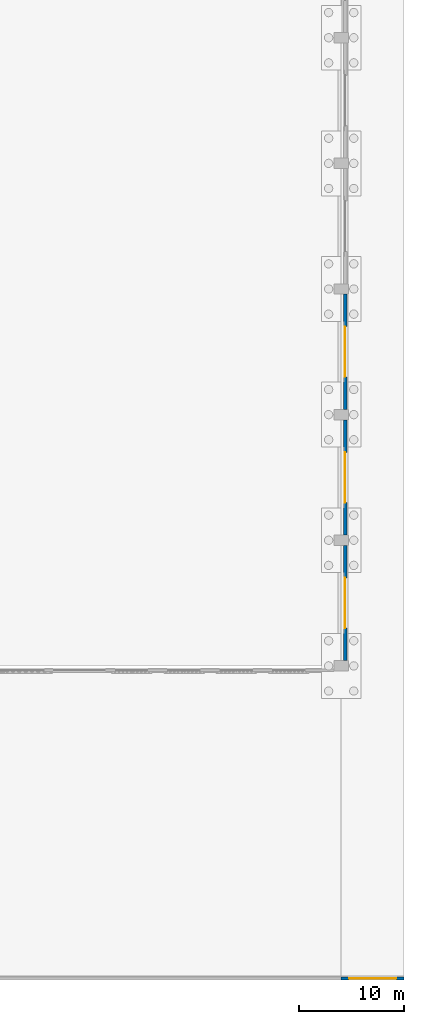
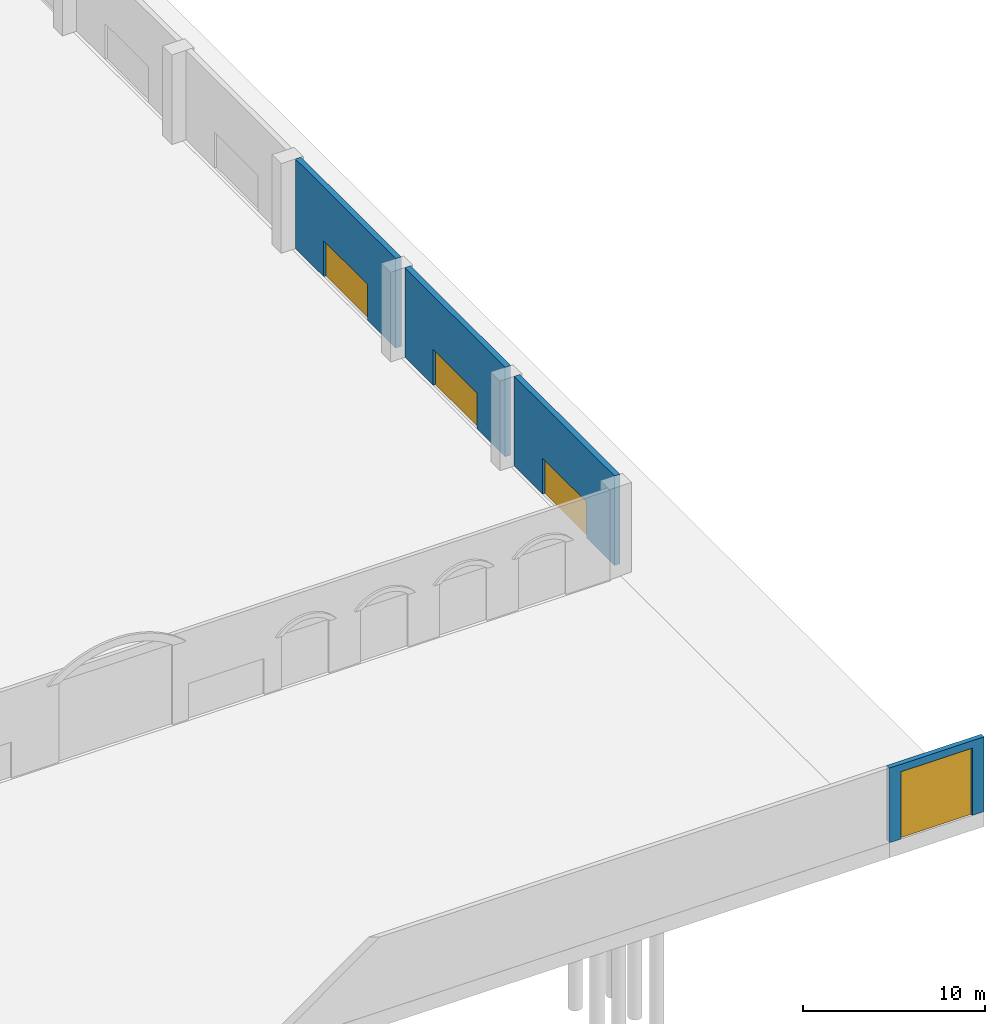
# One storey, part 35 of 59: 4 doors, 4 walls, 4 openings.
"""IFC4 building model written with IfcOpenShell, lengths in metres."""

from ifc_helpers import new_model, si_unit, direction, frame, frame_2d, origin, place, context, subcontext, project, spatial, rectangle, extrude, material, layer, layer_set, type_object, element, fill, save


model = new_model("IFC4")

# Units and contexts
model_context = context("Model", 3, precision=1e-05, world=origin(), true_north=direction((0.0, 1.0)))
body_context = subcontext(model_context, "Body", "Model", "MODEL_VIEW")
ifc_project = project(units=[si_unit("LENGTHUNIT", "METRE"), si_unit("AREAUNIT", "SQUARE_METRE"), si_unit("VOLUMEUNIT", "CUBIC_METRE"), si_unit("PLANEANGLEUNIT", "RADIAN"), si_unit("MASSUNIT", "GRAM", prefix="KILO")], contexts=[model_context])

# Site, building, storey
site_placement = place(None, origin())
site = spatial("IfcSite", under=ifc_project, at=site_placement, CompositionType="ELEMENT")
building_placement = place(site_placement, origin())
building = spatial("IfcBuilding", under=site, at=building_placement, Name="Lilac Gate Convention Centre", CompositionType="ELEMENT")
storey_placement = place(building_placement, origin())
storey = spatial("IfcBuildingStorey", under=building, at=storey_placement, Name="L00", CompositionType="ELEMENT", Elevation=0.0)

# Wall, opening, door
ifc_material_1 = material(Name="Concrete C30", Category="concrete")
ifc_layer_1 = layer(ifc_material_1, 0.300048828125)
ifc_layer_set_1 = layer_set([ifc_layer_1], Name="Concrete C30")
wall_type_1 = type_object("IfcWallType", Name="Boundary wall 300", PredefinedType="SOLIDWALL", material=ifc_layer_set_1)
wall_1_placement = place(storey_placement, frame((90.0, 0.155029296875, 0.0), z_axis=(0.0, 0.0, 1.0), x_axis=(1.0, 0.0, 0.0)))
wall_1 = element("IfcWall", 1, at=wall_1_placement, inside=storey, type_object=wall_type_1, Name="Boundary wall Back Street E", PredefinedType="SOLIDWALL", context=body_context, shape_type="SweptSolid", body=[
    extrude(rectangle(XDim=6.0, YDim=0.300048828125, at=frame_2d((3.0, 0.0))), origin(), (0.0, 0.0, 1.0), 5.0),
])
opening_1_placement = place(wall_1_placement, frame((0.75, 0.0, 0.0)))
opening_1 = element("IfcOpeningElement", 2, at=opening_1_placement, cuts=wall_1, Name="Opening ED-039", PredefinedType="OPENING", context=body_context, shape_type="SweptSolid", body=[
    extrude(rectangle(XDim=4.5, YDim=4.5, at=frame_2d((2.25, 2.25))), frame((0.0, 0.159912109375, 0.0), z_axis=(0.0, -1.0, 0.0), x_axis=(1.0, 0.0, 0.0)), (0.0, 0.0, 1.0), 0.320068359375),
])
ifc_material_2 = material(Name="Steel Q235B", Category="steel")
door_type_1 = type_object("IfcDoorType", Name="Lane gate 4500 x 4500", OperationType="SLIDING_TO_LEFT", PredefinedType="DOOR", material=ifc_material_2)
door_1_placement = place(opening_1_placement, frame((4.5, 0.0, 0.0), z_axis=(0.0, 0.0, 1.0), x_axis=(-1.0, 0.0, 0.0)))
door_1 = element("IfcDoor", 3, at=door_1_placement, inside=storey, type_object=door_type_1, Name="Lane gate G2", OperationType="SLIDING_TO_LEFT", OverallHeight=4.5, OverallWidth=4.5, PredefinedType="DOOR", context=body_context, shape_type="SweptSolid", body=[
    extrude(rectangle(XDim=4.5, YDim=4.5, at=frame_2d((2.25, 2.25))), frame((0.0, 0.02490234375, 0.0), z_axis=(0.0, -1.0, 0.0), x_axis=(1.0, 0.0, 0.0)), (0.0, 0.0, 1.0), 0.050048828125),
])
fill(opening_1, door_1)

ifc_material_3 = material(Name="Ochre mineral render")
ifc_layer_2 = layer(ifc_material_3, 0.02001953125)
ifc_material_4 = material(Name="Concrete C40 precast", Category="concrete")
ifc_layer_3 = layer(ifc_material_4, 0.06005859375)
ifc_material_5 = material(Name="Ventilated air cavity")
ifc_layer_4 = layer(ifc_material_5, 0.030029296875)
ifc_material_6 = material(Name="Mineral wool insulation")
ifc_layer_5 = layer(ifc_material_6, 0.169921875)
ifc_material_7 = material(Name="Steel stud Q345 and gypsum lining", Category="steel")
ifc_layer_6 = layer(ifc_material_7, 0.070068359375)
ifc_layer_set_2 = layer_set([ifc_layer_2, ifc_layer_3, ifc_layer_4, ifc_layer_5, ifc_layer_6], Name="Ochre mineral render, Concrete C40 precast, Ventilated air cavity, Mineral wool insulation, Steel stud Q345 and gypsum lining")
wall_type_2 = type_object("IfcWallType", Name="Podium precast wall 350", PredefinedType="STANDARD", material=ifc_layer_set_2)
wall_2_placement = place(storey_placement, frame((90.375, 30.5, 0.0), z_axis=(0.0, 0.0, 1.0), x_axis=(0.0, 1.0, 0.0)))
wall_2 = element("IfcWall", 4, at=wall_2_placement, inside=storey, type_object=wall_type_2, Name="External wall hall east HE L00 1", PredefinedType="STANDARD", context=body_context, shape_type="SweptSolid", body=[
    extrude(rectangle(XDim=11.0, YDim=0.35009765625, at=frame_2d((5.5, 0.0))), origin(), (0.0, 0.0, 1.0), 6.0),
])
opening_2_placement = place(wall_2_placement, frame((3.10009765625, 0.0, 0.0)))
opening_2 = element("IfcOpeningElement", 5, at=opening_2_placement, cuts=wall_2, Name="Opening ED-022", PredefinedType="OPENING", context=body_context, shape_type="SweptSolid", body=[
    extrude(rectangle(XDim=4.800048828125, YDim=2.39990234375, at=frame_2d((2.39990234375, 1.199951171875))), frame((0.0, 0.18505859375, 0.0), z_axis=(0.0, -1.0, 0.0), x_axis=(1.0, 0.0, 0.0)), (0.0, 0.0, 1.0), 0.3701171875),
])
door_type_2 = type_object("IfcDoorType", Name="Exit door set 4800 x 2400", OperationType="DOUBLE_DOOR_SINGLE_SWING", PredefinedType="DOOR", material=ifc_material_2)
door_2_placement = place(opening_2_placement, frame((4.800048828125, 0.0, 0.0), z_axis=(0.0, 0.0, 1.0), x_axis=(-1.0, 0.0, 0.0)))
door_2 = element("IfcDoor", 6, at=door_2_placement, inside=storey, type_object=door_type_2, Name="Pedestrian exit doors G11", OperationType="DOUBLE_DOOR_SINGLE_SWING", OverallHeight=2.39990234375, OverallWidth=4.800048828125, PredefinedType="DOOR", context=body_context, shape_type="SweptSolid", body=[
    extrude(rectangle(XDim=4.800048828125, YDim=2.39990234375, at=frame_2d((2.39990234375, 1.199951171875))), frame((0.0, 0.02490234375, 0.0), z_axis=(0.0, -1.0, 0.0), x_axis=(1.0, 0.0, 0.0)), (0.0, 0.0, 1.0), 0.050048828125),
])
fill(opening_2, door_2)

wall_3_placement = place(storey_placement, frame((90.375, 42.5, 0.0), z_axis=(0.0, 0.0, 1.0), x_axis=(0.0, 1.0, 0.0)))
wall_3 = element("IfcWall", 7, at=wall_3_placement, inside=storey, type_object=wall_type_2, Name="External wall hall east HE L00 2", PredefinedType="STANDARD", context=body_context, shape_type="SweptSolid", body=[
    extrude(rectangle(XDim=11.0, YDim=0.35009765625, at=frame_2d((5.5, 0.0))), origin(), (0.0, 0.0, 1.0), 6.0),
])
opening_3_placement = place(wall_3_placement, frame((3.10009765625, 0.0, 0.0)))
opening_3 = element("IfcOpeningElement", 8, at=opening_3_placement, cuts=wall_3, Name="Opening ED-023", PredefinedType="OPENING", context=body_context, shape_type="SweptSolid", body=[
    extrude(rectangle(XDim=4.800048828125, YDim=2.39990234375, at=frame_2d((2.39990234375, 1.199951171875))), frame((0.0, 0.18505859375, 0.0), z_axis=(0.0, -1.0, 0.0), x_axis=(1.0, 0.0, 0.0)), (0.0, 0.0, 1.0), 0.3701171875),
])
door_3_placement = place(opening_3_placement, frame((4.800048828125, 0.0, 0.0), z_axis=(0.0, 0.0, 1.0), x_axis=(-1.0, 0.0, 0.0)))
door_3 = element("IfcDoor", 9, at=door_3_placement, inside=storey, type_object=door_type_2, Name="Pedestrian exit doors G12", OperationType="DOUBLE_DOOR_SINGLE_SWING", OverallHeight=2.39990234375, OverallWidth=4.800048828125, PredefinedType="DOOR", context=body_context, shape_type="SweptSolid", body=[
    extrude(rectangle(XDim=4.800048828125, YDim=2.39990234375, at=frame_2d((2.39990234375, 1.199951171875))), frame((0.0, 0.02490234375, 0.0), z_axis=(0.0, -1.0, 0.0), x_axis=(1.0, 0.0, 0.0)), (0.0, 0.0, 1.0), 0.050048828125),
])
fill(opening_3, door_3)

wall_4_placement = place(storey_placement, frame((90.375, 54.5, 0.0), z_axis=(0.0, 0.0, 1.0), x_axis=(0.0, 1.0, 0.0)))
wall_4 = element("IfcWall", 10, at=wall_4_placement, inside=storey, type_object=wall_type_2, Name="External wall hall east HE L00 3", PredefinedType="STANDARD", context=body_context, shape_type="SweptSolid", body=[
    extrude(rectangle(XDim=11.0, YDim=0.35009765625, at=frame_2d((5.5, 0.0))), origin(), (0.0, 0.0, 1.0), 6.0),
])
opening_4_placement = place(wall_4_placement, frame((3.10009765625, 0.0, 0.0)))
opening_4 = element("IfcOpeningElement", 11, at=opening_4_placement, cuts=wall_4, Name="Opening ED-024", PredefinedType="OPENING", context=body_context, shape_type="SweptSolid", body=[
    extrude(rectangle(XDim=4.800048828125, YDim=2.39990234375, at=frame_2d((2.39990234375, 1.199951171875))), frame((0.0, 0.18505859375, 0.0), z_axis=(0.0, -1.0, 0.0), x_axis=(1.0, 0.0, 0.0)), (0.0, 0.0, 1.0), 0.3701171875),
])
door_4_placement = place(opening_4_placement, frame((4.800048828125, 0.0, 0.0), z_axis=(0.0, 0.0, 1.0), x_axis=(-1.0, 0.0, 0.0)))
door_4 = element("IfcDoor", 12, at=door_4_placement, inside=storey, type_object=door_type_2, Name="Pedestrian exit doors G13", OperationType="DOUBLE_DOOR_SINGLE_SWING", OverallHeight=2.39990234375, OverallWidth=4.800048828125, PredefinedType="DOOR", context=body_context, shape_type="SweptSolid", body=[
    extrude(rectangle(XDim=4.800048828125, YDim=2.39990234375, at=frame_2d((2.39990234375, 1.199951171875))), frame((0.0, 0.02490234375, 0.0), z_axis=(0.0, -1.0, 0.0), x_axis=(1.0, 0.0, 0.0)), (0.0, 0.0, 1.0), 0.050048828125),
])
fill(opening_4, door_4)

save(model, "model.ifc")
